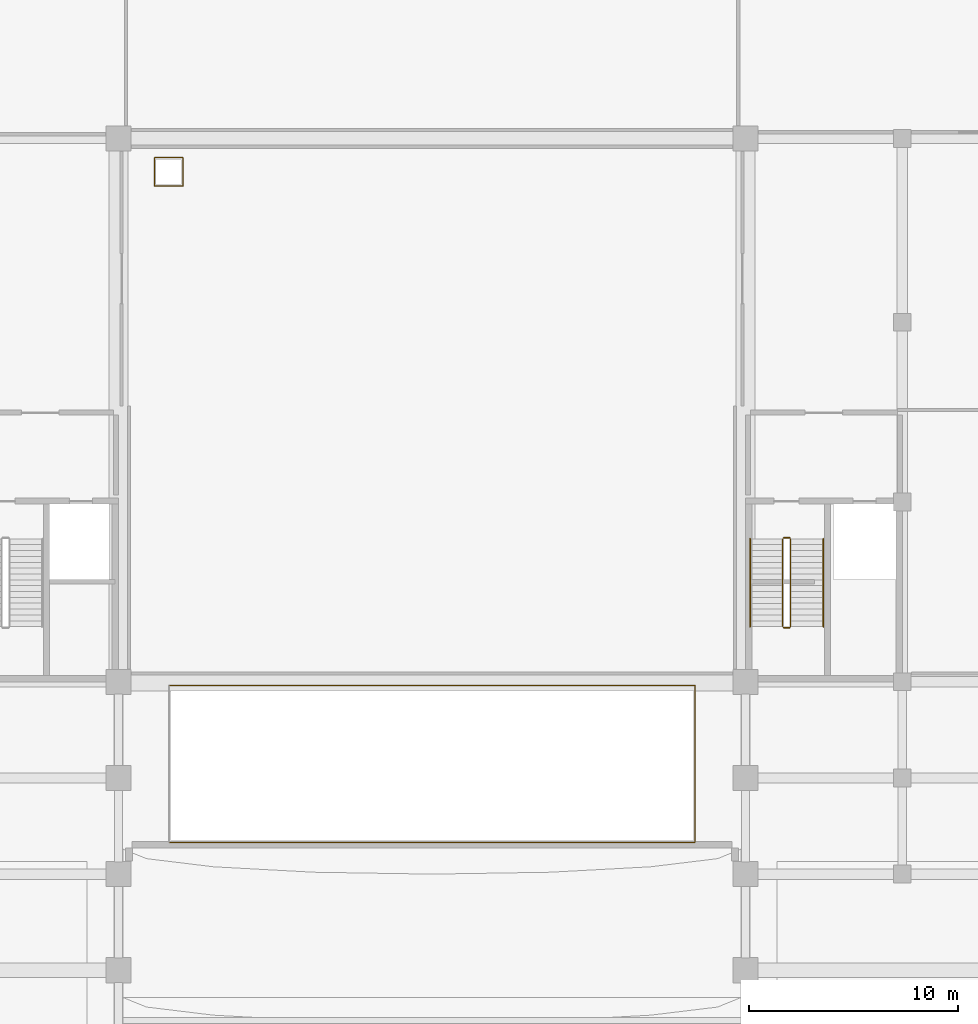
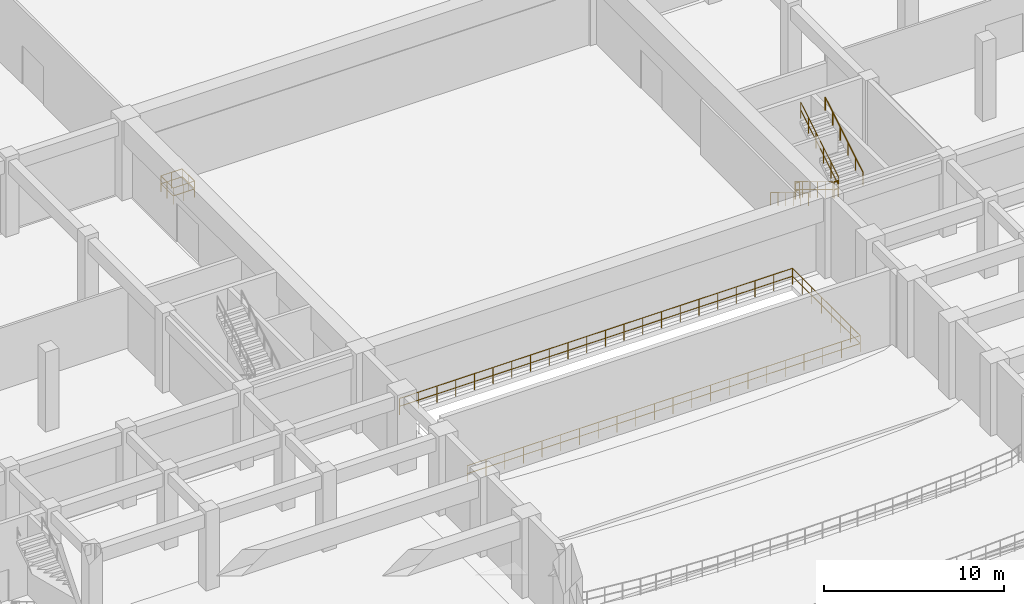
# One storey, part 81 of 84: 13 railings.
"""IFC4 building model written with IfcOpenShell, lengths in metres."""

from ifc_helpers import new_model, si_unit, direction, frame, origin, origin_2d, place, context, subcontext, project, spatial, circle, extrude, material, type_object, element, save


model = new_model("IFC4")

# Units and contexts
model_context = context("Model", 3, precision=1e-05, world=origin(), true_north=direction((0.0, 1.0)))
body_context = subcontext(model_context, "Body", "Model", "MODEL_VIEW")
ifc_project = project(units=[si_unit("LENGTHUNIT", "METRE"), si_unit("AREAUNIT", "SQUARE_METRE"), si_unit("VOLUMEUNIT", "CUBIC_METRE"), si_unit("PLANEANGLEUNIT", "RADIAN"), si_unit("MASSUNIT", "GRAM", prefix="KILO")], contexts=[model_context])

# Site, building, storey
site_placement = place(None, origin())
site = spatial("IfcSite", under=ifc_project, at=site_placement, CompositionType="ELEMENT")
building_placement = place(site_placement, origin())
building = spatial("IfcBuilding", under=site, at=building_placement, Name="Muzn Square Opera House", CompositionType="ELEMENT")
storey_placement = place(building_placement, origin())
storey = spatial("IfcBuildingStorey", under=building, at=storey_placement, Name="L00", CompositionType="ELEMENT", Elevation=0.0)

# Railings
ifc_material_1 = material(Name="Architectural bronze mashrabiya", Category="metal")
railing_type_1 = type_object("IfcRailingType", Name="Bronze Protective Balustrade 1120mm", PredefinedType="BALUSTRADE", material=ifc_material_1)
railing_1_placement = place(storey_placement, frame((75.419921875, 64.919921875, 0.0)))
element("IfcRailing", 1, at=railing_1_placement, inside=storey, type_object=railing_type_1, Name="Void Edge Balustrade L00-0001", PredefinedType="BALUSTRADE", context=body_context, shape_type="SweptSolid", body=[
    extrude(circle(Radius=0.02392578125, at=origin_2d()), frame((0.0, 0.0, 1.09619140625), z_axis=(1.0, 0.0, 0.0), x_axis=(0.0, 1.0, 0.0)), (0.0, 0.0, 1.0), 25.16015625),
    extrude(circle(Radius=0.02392578125, at=origin_2d()), frame((0.0, 0.0, 0.56005859375), z_axis=(1.0, 0.0, 0.0), x_axis=(0.0, 1.0, 0.0)), (0.0, 0.0, 1.0), 25.16015625),
    extrude(circle(Radius=0.02099609375, at=origin_2d()), origin(), (0.0, 0.0, 1.0), 1.072021484375),
    extrude(circle(Radius=0.02099609375, at=origin_2d()), frame((1.197998046875, 0.0, 0.0)), (0.0, 0.0, 1.0), 1.072021484375),
    extrude(circle(Radius=0.02099609375, at=origin_2d()), frame((2.396240234375, 0.0, 0.0)), (0.0, 0.0, 1.0), 1.072021484375),
    extrude(circle(Radius=0.02099609375, at=origin_2d()), frame((3.59423828125, 0.0, 0.0)), (0.0, 0.0, 1.0), 1.072021484375),
    extrude(circle(Radius=0.02099609375, at=origin_2d()), frame((4.79248046875, 0.0, 0.0)), (0.0, 0.0, 1.0), 1.072021484375),
    extrude(circle(Radius=0.02099609375, at=origin_2d()), frame((5.990478515625, 0.0, 0.0)), (0.0, 0.0, 1.0), 1.072021484375),
    extrude(circle(Radius=0.02099609375, at=origin_2d()), frame((7.188720703125, 0.0, 0.0)), (0.0, 0.0, 1.0), 1.072021484375),
    extrude(circle(Radius=0.02099609375, at=origin_2d()), frame((8.38671875, 0.0, 0.0)), (0.0, 0.0, 1.0), 1.072021484375),
    extrude(circle(Radius=0.02099609375, at=origin_2d()), frame((9.584716796875, 0.0, 0.0)), (0.0, 0.0, 1.0), 1.072021484375),
    extrude(circle(Radius=0.02099609375, at=origin_2d()), frame((10.782958984375, 0.0, 0.0)), (0.0, 0.0, 1.0), 1.072021484375),
    extrude(circle(Radius=0.02099609375, at=origin_2d()), frame((11.98095703125, 0.0, 0.0)), (0.0, 0.0, 1.0), 1.072021484375),
    extrude(circle(Radius=0.02099609375, at=origin_2d()), frame((13.17919921875, 0.0, 0.0)), (0.0, 0.0, 1.0), 1.072021484375),
    extrude(circle(Radius=0.02099609375, at=origin_2d()), frame((14.377197265625, 0.0, 0.0)), (0.0, 0.0, 1.0), 1.072021484375),
    extrude(circle(Radius=0.02099609375, at=origin_2d()), frame((15.575439453125, 0.0, 0.0)), (0.0, 0.0, 1.0), 1.072021484375),
    extrude(circle(Radius=0.02099609375, at=origin_2d()), frame((16.7734375, 0.0, 0.0)), (0.0, 0.0, 1.0), 1.072021484375),
    extrude(circle(Radius=0.02099609375, at=origin_2d()), frame((17.971435546875, 0.0, 0.0)), (0.0, 0.0, 1.0), 1.072021484375),
    extrude(circle(Radius=0.02099609375, at=origin_2d()), frame((19.169677734375, 0.0, 0.0)), (0.0, 0.0, 1.0), 1.072021484375),
    extrude(circle(Radius=0.02099609375, at=origin_2d()), frame((20.36767578125, 0.0, 0.0)), (0.0, 0.0, 1.0), 1.072021484375),
    extrude(circle(Radius=0.02099609375, at=origin_2d()), frame((21.56591796875, 0.0, 0.0)), (0.0, 0.0, 1.0), 1.072021484375),
    extrude(circle(Radius=0.02099609375, at=origin_2d()), frame((22.763916015625, 0.0, 0.0)), (0.0, 0.0, 1.0), 1.072021484375),
    extrude(circle(Radius=0.02099609375, at=origin_2d()), frame((23.962158203125, 0.0, 0.0)), (0.0, 0.0, 1.0), 1.072021484375),
    extrude(circle(Radius=0.02099609375, at=origin_2d()), frame((25.16015625, 0.0, 0.0)), (0.0, 0.0, 1.0), 1.072021484375),
])
railing_2_placement = place(storey_placement, frame((100.580078125, 64.919921875, 0.0)))
element("IfcRailing", 2, at=railing_2_placement, inside=storey, type_object=railing_type_1, Name="Void Edge Balustrade L00-0002", PredefinedType="BALUSTRADE", context=body_context, shape_type="SweptSolid", body=[
    extrude(circle(Radius=0.02392578125, at=origin_2d()), frame((0.0, 0.0, 1.09619140625), z_axis=(0.0, 1.0, 0.0), x_axis=(-1.0, 0.0, 0.0)), (0.0, 0.0, 1.0), 7.510009765625),
    extrude(circle(Radius=0.02392578125, at=origin_2d()), frame((0.0, 0.0, 0.56005859375), z_axis=(0.0, 1.0, 0.0), x_axis=(-1.0, 0.0, 0.0)), (0.0, 0.0, 1.0), 7.510009765625),
    extrude(circle(Radius=0.02099609375, at=origin_2d()), origin(), (0.0, 0.0, 1.0), 1.072021484375),
    extrude(circle(Radius=0.02099609375, at=origin_2d()), frame((0.0, 1.07275390625, 0.0)), (0.0, 0.0, 1.0), 1.072021484375),
    extrude(circle(Radius=0.02099609375, at=origin_2d()), frame((0.0, 2.145751953125, 0.0)), (0.0, 0.0, 1.0), 1.072021484375),
    extrude(circle(Radius=0.02099609375, at=origin_2d()), frame((0.0, 3.218505859375, 0.0)), (0.0, 0.0, 1.0), 1.072021484375),
    extrude(circle(Radius=0.02099609375, at=origin_2d()), frame((0.0, 4.29150390625, 0.0)), (0.0, 0.0, 1.0), 1.072021484375),
    extrude(circle(Radius=0.02099609375, at=origin_2d()), frame((0.0, 5.3642578125, 0.0)), (0.0, 0.0, 1.0), 1.072021484375),
    extrude(circle(Radius=0.02099609375, at=origin_2d()), frame((0.0, 6.437255859375, 0.0)), (0.0, 0.0, 1.0), 1.072021484375),
    extrude(circle(Radius=0.02099609375, at=origin_2d()), frame((0.0, 7.510009765625, 0.0)), (0.0, 0.0, 1.0), 1.072021484375),
])
railing_3_placement = place(storey_placement, frame((100.580078125, 72.429931640625, 0.0)))
element("IfcRailing", 3, at=railing_3_placement, inside=storey, type_object=railing_type_1, Name="Void Edge Balustrade L00-0003", PredefinedType="BALUSTRADE", context=body_context, shape_type="SweptSolid", body=[
    extrude(circle(Radius=0.02392578125, at=origin_2d()), frame((0.0, 0.0, 1.09619140625), z_axis=(-1.0, 0.0, 0.0), x_axis=(0.0, -1.0, 0.0)), (0.0, 0.0, 1.0), 25.16015625),
    extrude(circle(Radius=0.02392578125, at=origin_2d()), frame((0.0, 0.0, 0.56005859375), z_axis=(-1.0, 0.0, 0.0), x_axis=(0.0, -1.0, 0.0)), (0.0, 0.0, 1.0), 25.16015625),
    extrude(circle(Radius=0.02099609375, at=origin_2d()), origin(), (0.0, 0.0, 1.0), 1.072021484375),
    extrude(circle(Radius=0.02099609375, at=origin_2d()), frame((-1.197998046875, 0.0, 0.0)), (0.0, 0.0, 1.0), 1.072021484375),
    extrude(circle(Radius=0.02099609375, at=origin_2d()), frame((-2.396240234375, 0.0, 0.0)), (0.0, 0.0, 1.0), 1.072021484375),
    extrude(circle(Radius=0.02099609375, at=origin_2d()), frame((-3.59423828125, 0.0, 0.0)), (0.0, 0.0, 1.0), 1.072021484375),
    extrude(circle(Radius=0.02099609375, at=origin_2d()), frame((-4.79248046875, 0.0, 0.0)), (0.0, 0.0, 1.0), 1.072021484375),
    extrude(circle(Radius=0.02099609375, at=origin_2d()), frame((-5.990478515625, 0.0, 0.0)), (0.0, 0.0, 1.0), 1.072021484375),
    extrude(circle(Radius=0.02099609375, at=origin_2d()), frame((-7.188720703125, 0.0, 0.0)), (0.0, 0.0, 1.0), 1.072021484375),
    extrude(circle(Radius=0.02099609375, at=origin_2d()), frame((-8.38671875, 0.0, 0.0)), (0.0, 0.0, 1.0), 1.072021484375),
    extrude(circle(Radius=0.02099609375, at=origin_2d()), frame((-9.584716796875, 0.0, 0.0)), (0.0, 0.0, 1.0), 1.072021484375),
    extrude(circle(Radius=0.02099609375, at=origin_2d()), frame((-10.782958984375, 0.0, 0.0)), (0.0, 0.0, 1.0), 1.072021484375),
    extrude(circle(Radius=0.02099609375, at=origin_2d()), frame((-11.98095703125, 0.0, 0.0)), (0.0, 0.0, 1.0), 1.072021484375),
    extrude(circle(Radius=0.02099609375, at=origin_2d()), frame((-13.17919921875, 0.0, 0.0)), (0.0, 0.0, 1.0), 1.072021484375),
    extrude(circle(Radius=0.02099609375, at=origin_2d()), frame((-14.377197265625, 0.0, 0.0)), (0.0, 0.0, 1.0), 1.072021484375),
    extrude(circle(Radius=0.02099609375, at=origin_2d()), frame((-15.575439453125, 0.0, 0.0)), (0.0, 0.0, 1.0), 1.072021484375),
    extrude(circle(Radius=0.02099609375, at=origin_2d()), frame((-16.7734375, 0.0, 0.0)), (0.0, 0.0, 1.0), 1.072021484375),
    extrude(circle(Radius=0.02099609375, at=origin_2d()), frame((-17.971435546875, 0.0, 0.0)), (0.0, 0.0, 1.0), 1.072021484375),
    extrude(circle(Radius=0.02099609375, at=origin_2d()), frame((-19.169677734375, 0.0, 0.0)), (0.0, 0.0, 1.0), 1.072021484375),
    extrude(circle(Radius=0.02099609375, at=origin_2d()), frame((-20.36767578125, 0.0, 0.0)), (0.0, 0.0, 1.0), 1.072021484375),
    extrude(circle(Radius=0.02099609375, at=origin_2d()), frame((-21.56591796875, 0.0, 0.0)), (0.0, 0.0, 1.0), 1.072021484375),
    extrude(circle(Radius=0.02099609375, at=origin_2d()), frame((-22.763916015625, 0.0, 0.0)), (0.0, 0.0, 1.0), 1.072021484375),
    extrude(circle(Radius=0.02099609375, at=origin_2d()), frame((-23.962158203125, 0.0, 0.0)), (0.0, 0.0, 1.0), 1.072021484375),
    extrude(circle(Radius=0.02099609375, at=origin_2d()), frame((-25.16015625, 0.0, 0.0)), (0.0, 0.0, 1.0), 1.072021484375),
])
railing_4_placement = place(storey_placement, frame((74.719970703125, 96.320068359375, 0.0)))
element("IfcRailing", 4, at=railing_4_placement, inside=storey, type_object=railing_type_1, Name="Void Edge Balustrade L00-0005", PredefinedType="BALUSTRADE", context=body_context, shape_type="SweptSolid", body=[
    extrude(circle(Radius=0.02392578125, at=origin_2d()), frame((0.0, 0.0, 1.09619140625), z_axis=(1.0, 0.0, 0.0), x_axis=(0.0, 1.0, 0.0)), (0.0, 0.0, 1.0), 1.360107421875),
    extrude(circle(Radius=0.02392578125, at=origin_2d()), frame((0.0, 0.0, 0.56005859375), z_axis=(1.0, 0.0, 0.0), x_axis=(0.0, 1.0, 0.0)), (0.0, 0.0, 1.0), 1.360107421875),
    extrude(circle(Radius=0.02099609375, at=origin_2d()), origin(), (0.0, 0.0, 1.0), 1.072021484375),
    extrude(circle(Radius=0.02099609375, at=origin_2d()), frame((0.68017578125, 0.0, 0.0)), (0.0, 0.0, 1.0), 1.072021484375),
    extrude(circle(Radius=0.02099609375, at=origin_2d()), frame((1.360107421875, 0.0, 0.0)), (0.0, 0.0, 1.0), 1.072021484375),
])
railing_5_placement = place(storey_placement, frame((76.080078125, 96.320068359375, 0.0)))
element("IfcRailing", 5, at=railing_5_placement, inside=storey, type_object=railing_type_1, Name="Void Edge Balustrade L00-0006", PredefinedType="BALUSTRADE", context=body_context, shape_type="SweptSolid", body=[
    extrude(circle(Radius=0.02392578125, at=origin_2d()), frame((0.0, 0.0, 1.09619140625), z_axis=(0.0, 1.0, 0.0), x_axis=(-1.0, 0.0, 0.0)), (0.0, 0.0, 1.0), 1.35986328125),
    extrude(circle(Radius=0.02392578125, at=origin_2d()), frame((0.0, 0.0, 0.56005859375), z_axis=(0.0, 1.0, 0.0), x_axis=(-1.0, 0.0, 0.0)), (0.0, 0.0, 1.0), 1.35986328125),
    extrude(circle(Radius=0.02099609375, at=origin_2d()), origin(), (0.0, 0.0, 1.0), 1.072021484375),
    extrude(circle(Radius=0.02099609375, at=origin_2d()), frame((0.0, 0.679931640625, 0.0)), (0.0, 0.0, 1.0), 1.072021484375),
    extrude(circle(Radius=0.02099609375, at=origin_2d()), frame((0.0, 1.35986328125, 0.0)), (0.0, 0.0, 1.0), 1.072021484375),
])
railing_6_placement = place(storey_placement, frame((76.080078125, 97.679931640625, 0.0)))
element("IfcRailing", 6, at=railing_6_placement, inside=storey, type_object=railing_type_1, Name="Void Edge Balustrade L00-0007", PredefinedType="BALUSTRADE", context=body_context, shape_type="SweptSolid", body=[
    extrude(circle(Radius=0.02392578125, at=origin_2d()), frame((0.0, 0.0, 1.09619140625), z_axis=(-1.0, 0.0, 0.0), x_axis=(0.0, -1.0, 0.0)), (0.0, 0.0, 1.0), 1.360107421875),
    extrude(circle(Radius=0.02392578125, at=origin_2d()), frame((0.0, 0.0, 0.56005859375), z_axis=(-1.0, 0.0, 0.0), x_axis=(0.0, -1.0, 0.0)), (0.0, 0.0, 1.0), 1.360107421875),
    extrude(circle(Radius=0.02099609375, at=origin_2d()), origin(), (0.0, 0.0, 1.0), 1.072021484375),
    extrude(circle(Radius=0.02099609375, at=origin_2d()), frame((-0.68017578125, 0.0, 0.0)), (0.0, 0.0, 1.0), 1.072021484375),
    extrude(circle(Radius=0.02099609375, at=origin_2d()), frame((-1.360107421875, 0.0, 0.0)), (0.0, 0.0, 1.0), 1.072021484375),
])
railing_7_placement = place(storey_placement, frame((74.719970703125, 97.679931640625, 0.0)))
element("IfcRailing", 7, at=railing_7_placement, inside=storey, type_object=railing_type_1, Name="Void Edge Balustrade L00-0008", PredefinedType="BALUSTRADE", context=body_context, shape_type="SweptSolid", body=[
    extrude(circle(Radius=0.02392578125, at=origin_2d()), frame((0.0, 0.0, 1.09619140625), z_axis=(0.0, -1.0, 0.0), x_axis=(1.0, 0.0, 0.0)), (0.0, 0.0, 1.0), 1.35986328125),
    extrude(circle(Radius=0.02392578125, at=origin_2d()), frame((0.0, 0.0, 0.56005859375), z_axis=(0.0, -1.0, 0.0), x_axis=(1.0, 0.0, 0.0)), (0.0, 0.0, 1.0), 1.35986328125),
    extrude(circle(Radius=0.02099609375, at=origin_2d()), origin(), (0.0, 0.0, 1.0), 1.072021484375),
    extrude(circle(Radius=0.02099609375, at=origin_2d()), frame((0.0, -0.679931640625, 0.0)), (0.0, 0.0, 1.0), 1.072021484375),
    extrude(circle(Radius=0.02099609375, at=origin_2d()), frame((0.0, -1.35986328125, 0.0)), (0.0, 0.0, 1.0), 1.072021484375),
])
ifc_material_2 = material(Name="Brushed stainless steel", Category="metal")
railing_type_2 = type_object("IfcRailingType", Name="Stair Guard Railing 1120mm", PredefinedType="GUARDRAIL", material=ifc_material_2)
railing_8_placement = place(storey_placement, frame((104.780029296875, 79.43994140625, 0.168701171875)))
element("IfcRailing", 8, at=railing_8_placement, inside=storey, type_object=railing_type_2, Name="L00 ST-2 stair guard 1", PredefinedType="GUARDRAIL", context=body_context, shape_type="SweptSolid", body=[
    extrude(circle(Radius=0.02392578125, at=origin_2d()), frame((0.0, 0.0, 1.076171875), z_axis=(0.0, -0.856476492594, 0.516186030065), x_axis=(1.0, 0.0, 0.0)), (0.0, 0.0, 1.0), 4.90380859375),
    extrude(circle(Radius=0.02392578125, at=origin_2d()), frame((0.0, 0.0, 0.550048828125), z_axis=(0.0, -0.856476492594, 0.516186030065), x_axis=(1.0, 0.0, 0.0)), (0.0, 0.0, 1.0), 4.90380859375),
    extrude(circle(Radius=0.02099609375, at=origin_2d()), origin(), (0.0, 0.0, 1.0), 1.052001953125),
    extrude(circle(Radius=0.02099609375, at=origin_2d()), frame((0.0, -0.840087890625, 0.50634765625)), (0.0, 0.0, 1.0), 1.052001953125),
    extrude(circle(Radius=0.02099609375, at=origin_2d()), frame((0.0, -1.679931640625, 1.012451171875)), (0.0, 0.0, 1.0), 1.052001953125),
    extrude(circle(Radius=0.02099609375, at=origin_2d()), frame((0.0, -2.52001953125, 1.518798828125)), (0.0, 0.0, 1.0), 1.052001953125),
    extrude(circle(Radius=0.02099609375, at=origin_2d()), frame((0.0, -3.35986328125, 2.02490234375)), (0.0, 0.0, 1.0), 1.052001953125),
    extrude(circle(Radius=0.02099609375, at=origin_2d()), frame((0.0, -4.199951171875, 2.53125)), (0.0, 0.0, 1.0), 1.052001953125),
])
railing_9_placement = place(storey_placement, frame((104.830078125, 75.18994140625, 2.699951171875)))
element("IfcRailing", 9, at=railing_9_placement, inside=storey, type_object=railing_type_2, Name="L00 ST-2 stair guard 2", PredefinedType="GUARDRAIL", context=body_context, shape_type="SweptSolid", body=[
    extrude(circle(Radius=0.02392578125, at=origin_2d()), frame((0.0, 0.0, 1.076171875), z_axis=(1.0, 0.0, 0.0), x_axis=(0.0, 1.0, 0.0)), (0.0, 0.0, 1.0), 0.280029296875),
    extrude(circle(Radius=0.02392578125, at=origin_2d()), frame((0.0, 0.0, 0.550048828125), z_axis=(1.0, 0.0, 0.0), x_axis=(0.0, 1.0, 0.0)), (0.0, 0.0, 1.0), 0.280029296875),
    extrude(circle(Radius=0.02099609375, at=origin_2d()), origin(), (0.0, 0.0, 1.0), 1.052001953125),
    extrude(circle(Radius=0.02099609375, at=origin_2d()), frame((0.280029296875, 0.0, 0.0)), (0.0, 0.0, 1.0), 1.052001953125),
])
railing_10_placement = place(storey_placement, frame((105.159912109375, 75.239990234375, 2.86865234375)))
element("IfcRailing", 10, at=railing_10_placement, inside=storey, type_object=railing_type_2, Name="L00 ST-2 stair guard 3", PredefinedType="GUARDRAIL", context=body_context, shape_type="SweptSolid", body=[
    extrude(circle(Radius=0.02392578125, at=origin_2d()), frame((0.0, 0.0, 1.076171875), z_axis=(0.0, 0.856476492594, 0.516186030065), x_axis=(-1.0, 0.0, 0.0)), (0.0, 0.0, 1.0), 4.90380859375),
    extrude(circle(Radius=0.02392578125, at=origin_2d()), frame((0.0, 0.0, 0.550048828125), z_axis=(0.0, 0.856476492594, 0.516186030065), x_axis=(-1.0, 0.0, 0.0)), (0.0, 0.0, 1.0), 4.90380859375),
    extrude(circle(Radius=0.02099609375, at=origin_2d()), origin(), (0.0, 0.0, 1.0), 1.052001953125),
    extrude(circle(Radius=0.02099609375, at=origin_2d()), frame((0.0, 0.840087890625, 0.50634765625)), (0.0, 0.0, 1.0), 1.052001953125),
    extrude(circle(Radius=0.02099609375, at=origin_2d()), frame((0.0, 1.679931640625, 1.012451171875)), (0.0, 0.0, 1.0), 1.052001953125),
    extrude(circle(Radius=0.02099609375, at=origin_2d()), frame((0.0, 2.52001953125, 1.518798828125)), (0.0, 0.0, 1.0), 1.052001953125),
    extrude(circle(Radius=0.02099609375, at=origin_2d()), frame((0.0, 3.35986328125, 2.02490234375)), (0.0, 0.0, 1.0), 1.052001953125),
    extrude(circle(Radius=0.02099609375, at=origin_2d()), frame((0.0, 4.199951171875, 2.53125)), (0.0, 0.0, 1.0), 1.052001953125),
])
railing_11_placement = place(storey_placement, frame((104.830078125, 79.489990234375, 0.0)))
element("IfcRailing", 11, at=railing_11_placement, inside=storey, type_object=railing_type_2, Name="L00 ST-2 stair guard 4", PredefinedType="GUARDRAIL", context=body_context, shape_type="SweptSolid", body=[
    extrude(circle(Radius=0.02392578125, at=origin_2d()), frame((0.0, 0.0, 1.076171875), z_axis=(1.0, 0.0, 0.0), x_axis=(0.0, 1.0, 0.0)), (0.0, 0.0, 1.0), 0.280029296875),
    extrude(circle(Radius=0.02392578125, at=origin_2d()), frame((0.0, 0.0, 0.550048828125), z_axis=(1.0, 0.0, 0.0), x_axis=(0.0, 1.0, 0.0)), (0.0, 0.0, 1.0), 0.280029296875),
    extrude(circle(Radius=0.02099609375, at=origin_2d()), origin(), (0.0, 0.0, 1.0), 1.052001953125),
    extrude(circle(Radius=0.02099609375, at=origin_2d()), frame((0.280029296875, 0.0, 0.0)), (0.0, 0.0, 1.0), 1.052001953125),
])
railing_type_3 = type_object("IfcRailingType", Name="Stair Pitch Handrail 900mm", PredefinedType="HANDRAIL", material=ifc_material_2)
railing_12_placement = place(storey_placement, frame((103.219970703125, 79.43994140625, 0.168701171875)))
element("IfcRailing", 12, at=railing_12_placement, inside=storey, type_object=railing_type_3, Name="L00 ST-2 stair handrail 1", PredefinedType="HANDRAIL", context=body_context, shape_type="SweptSolid", body=[
    extrude(circle(Radius=0.02392578125, at=origin_2d()), frame((0.0, 0.0, 0.8759765625), z_axis=(0.0, -0.856476492594, 0.516186030065), x_axis=(1.0, 0.0, 0.0)), (0.0, 0.0, 1.0), 4.90380859375),
    extrude(circle(Radius=0.02099609375, at=origin_2d()), origin(), (0.0, 0.0, 1.0), 0.851806640625),
    extrude(circle(Radius=0.02099609375, at=origin_2d()), frame((0.0, -0.840087890625, 0.50634765625)), (0.0, 0.0, 1.0), 0.851806640625),
    extrude(circle(Radius=0.02099609375, at=origin_2d()), frame((0.0, -1.679931640625, 1.012451171875)), (0.0, 0.0, 1.0), 0.851806640625),
    extrude(circle(Radius=0.02099609375, at=origin_2d()), frame((0.0, -2.52001953125, 1.518798828125)), (0.0, 0.0, 1.0), 0.851806640625),
    extrude(circle(Radius=0.02099609375, at=origin_2d()), frame((0.0, -3.35986328125, 2.02490234375)), (0.0, 0.0, 1.0), 0.851806640625),
    extrude(circle(Radius=0.02099609375, at=origin_2d()), frame((0.0, -4.199951171875, 2.53125)), (0.0, 0.0, 1.0), 0.851806640625),
])
railing_13_placement = place(storey_placement, frame((106.719970703125, 75.239990234375, 2.86865234375)))
element("IfcRailing", 13, at=railing_13_placement, inside=storey, type_object=railing_type_3, Name="L00 ST-2 stair handrail 2", PredefinedType="HANDRAIL", context=body_context, shape_type="SweptSolid", body=[
    extrude(circle(Radius=0.02392578125, at=origin_2d()), frame((0.0, 0.0, 0.8759765625), z_axis=(0.0, 0.856476492594, 0.516186030065), x_axis=(-1.0, 0.0, 0.0)), (0.0, 0.0, 1.0), 4.90380859375),
    extrude(circle(Radius=0.02099609375, at=origin_2d()), origin(), (0.0, 0.0, 1.0), 0.851806640625),
    extrude(circle(Radius=0.02099609375, at=origin_2d()), frame((0.0, 0.840087890625, 0.50634765625)), (0.0, 0.0, 1.0), 0.851806640625),
    extrude(circle(Radius=0.02099609375, at=origin_2d()), frame((0.0, 1.679931640625, 1.012451171875)), (0.0, 0.0, 1.0), 0.851806640625),
    extrude(circle(Radius=0.02099609375, at=origin_2d()), frame((0.0, 2.52001953125, 1.518798828125)), (0.0, 0.0, 1.0), 0.851806640625),
    extrude(circle(Radius=0.02099609375, at=origin_2d()), frame((0.0, 3.35986328125, 2.02490234375)), (0.0, 0.0, 1.0), 0.851806640625),
    extrude(circle(Radius=0.02099609375, at=origin_2d()), frame((0.0, 4.199951171875, 2.53125)), (0.0, 0.0, 1.0), 0.851806640625),
])

save(model, "model.ifc")
